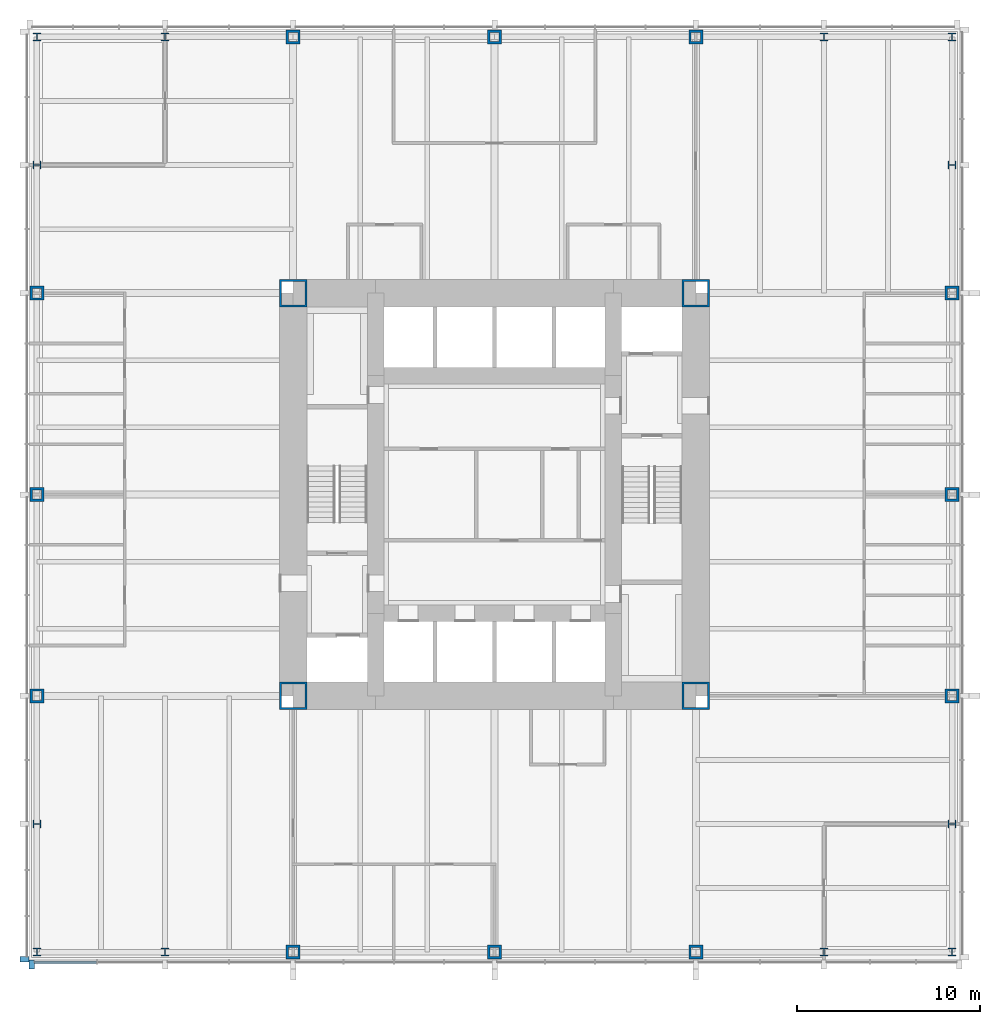
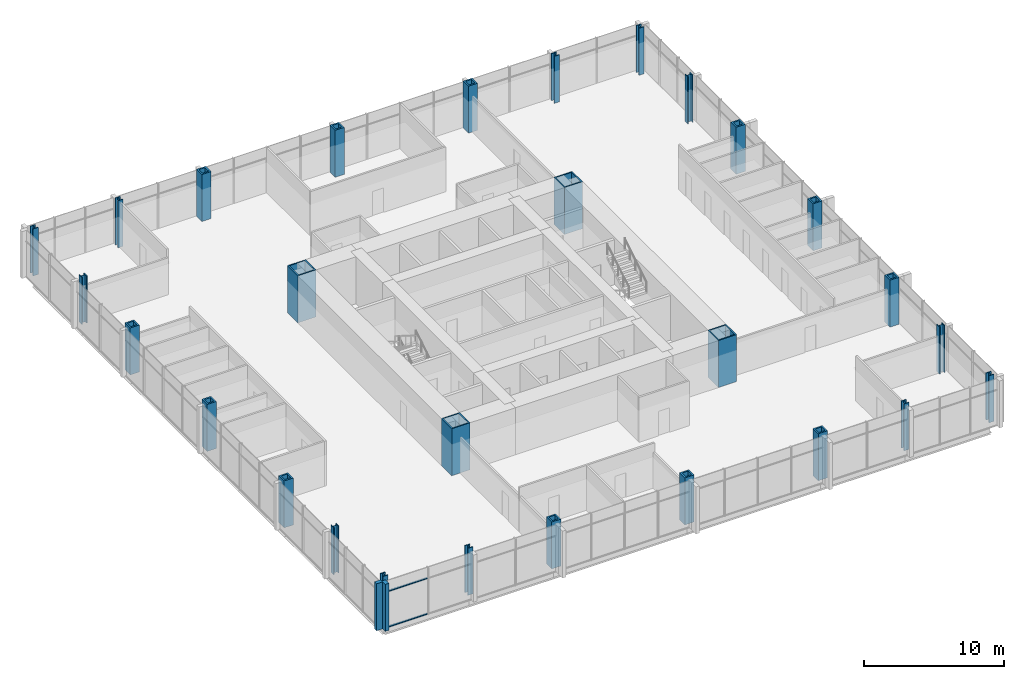
# One storey, part 1 of 13: 28 columns, 4 members, 2 elements without a shape of their own.
"""IFC4 building model written with IfcOpenShell, lengths in metres."""

from ifc_helpers import new_model, si_unit, direction, frame, origin, origin_2d, place, context, subcontext, project, spatial, rectangle, hollow_rectangle, i_section, extrude, material, material_profile, profile_set, type_object, element, aggregate, save


model = new_model("IFC4")

# Units and contexts
model_context = context("Model", 3, precision=1e-05, world=origin(), true_north=direction((0.0, 1.0)))
body_context = subcontext(model_context, "Body", "Model", "MODEL_VIEW")
ifc_project = project(units=[si_unit("LENGTHUNIT", "METRE"), si_unit("AREAUNIT", "SQUARE_METRE"), si_unit("VOLUMEUNIT", "CUBIC_METRE"), si_unit("PLANEANGLEUNIT", "RADIAN"), si_unit("MASSUNIT", "GRAM", prefix="KILO")], contexts=[model_context])

# Site, building, storey
site_placement = place(None, origin())
site = spatial("IfcSite", under=ifc_project, at=site_placement, CompositionType="ELEMENT")
building_placement = place(site_placement, origin())
building = spatial("IfcBuilding", under=site, at=building_placement, Name="Trevanion Tower", CompositionType="ELEMENT")
storey_placement = place(building_placement, frame((0.0, 0.0, 81.60009765625)))
storey = spatial("IfcBuildingStorey", under=building, at=storey_placement, Name="L19", CompositionType="ELEMENT", Elevation=81.60009765625)

# Columns
ifc_material_1 = material(Name="Steel ASTM A588 Grade 50", Category="steel")
ifc_material_profile_1 = material_profile(ifc_material_1, hollow_rectangle(XDim=0.761962890625, YDim=0.761962890625, WallThickness=0.126953125, at=origin_2d()), Name="BOX30X30X5")
ifc_profile_set_1 = profile_set([ifc_material_profile_1], Name="Steel ASTM A588 Grade 50")
column_type_1 = type_object("IfcColumnType", Name="C1 BOX30X30X5", PredefinedType="COLUMN", material=ifc_profile_set_1)
for number, where, z_axis, x_axis, name in (
    (1, (-25.0, 0.0, 0.0), (0.0, 0.0, 1.0), (0.0, 1.0, 0.0), "C1 3/H L19"),
    (2, (-25.0, -11.0, 0.0), (0.0, 0.0, 1.0), (0.0, 1.0, 0.0), "C1 3/F L19"),
    (3, (-11.0, -25.0, 0.0), (0.0, 0.0, 1.0), (1.0, 0.0, 0.0), "C1 8/A L19"),
    (4, (0.0, -25.0, 0.0), (0.0, 0.0, 1.0), (1.0, 0.0, 0.0), "C1 10/A L19"),
    (5, (11.0, -25.0, 0.0), (0.0, 0.0, 1.0), (1.0, 0.0, 0.0), "C1 12/A L19"),
    (6, (25.0, -11.0, 0.0), (0.0, 0.0, 1.0), (0.0, 1.0, 0.0), "C1 17/F L19"),
    (7, (25.0, 0.0, 0.0), (0.0, 0.0, 1.0), (0.0, 1.0, 0.0), "C1 17/H L19"),
    (8, (25.0, 11.0, 0.0), (0.0, 0.0, 1.0), (0.0, 1.0, 0.0), "C1 17/K L19"),
    (9, (11.0, 25.0, 0.0), (0.0, 0.0, 1.0), (1.0, 0.0, 0.0), "C1 12/Q L19"),
    (10, (0.0, 25.0, 0.0), (0.0, 0.0, 1.0), (1.0, 0.0, 0.0), "C1 10/Q L19"),
    (11, (-11.0, 25.0, 0.0), (0.0, 0.0, 1.0), (1.0, 0.0, 0.0), "C1 8/Q L19"),
    (12, (-25.0, 11.0, 0.0), (0.0, 0.0, 1.0), (0.0, 1.0, 0.0), "C1 3/K L19"),
):
    element("IfcColumn", number, at=place(storey_placement, frame(where, z_axis=z_axis, x_axis=x_axis)), inside=storey, type_object=column_type_1, Name=name, PredefinedType="COLUMN", context=body_context, shape_type="SweptSolid", body=[
        extrude(hollow_rectangle(XDim=0.761962890625, YDim=0.761962890625, WallThickness=0.126953125, at=origin_2d()), origin(), (0.0, 0.0, 1.0), 4.099853515625),
    ])
ifc_material_2 = material(Name="Steel ASTM A913 Grade 65", Category="steel")
ifc_material_profile_2 = material_profile(ifc_material_2, i_section(OverallWidth=0.419189453125, OverallDepth=0.45458984375, WebThickness=0.042236328125, FlangeThickness=0.067626953125, at=origin_2d()), Name="W14X370")
ifc_profile_set_2 = profile_set([ifc_material_profile_2], Name="Steel ASTM A913 Grade 65")
column_type_2 = type_object("IfcColumnType", Name="C2 W14X370", PredefinedType="COLUMN", material=ifc_profile_set_2)
for number, where, z_axis, x_axis, name in (
    (13, (-25.0, -18.0, 0.0), (0.0, 0.0, 1.0), (0.0, 1.0, 0.0), "C2 3/D L19"),
    (14, (-25.0, -25.0, 0.0), (0.0, 0.0, 1.0), (1.0, 0.0, 0.0), "C2 3/A L19"),
    (15, (-18.0, -25.0, 0.0), (0.0, 0.0, 1.0), (1.0, 0.0, 0.0), "C2 6/A L19"),
    (16, (18.0, -25.0, 0.0), (0.0, 0.0, 1.0), (1.0, 0.0, 0.0), "C2 14/A L19"),
    (17, (25.0, -25.0, 0.0), (0.0, 0.0, 1.0), (1.0, 0.0, 0.0), "C2 17/A L19"),
    (18, (25.0, -18.0, 0.0), (0.0, 0.0, 1.0), (0.0, 1.0, 0.0), "C2 17/D L19"),
    (19, (25.0, 18.0, 0.0), (0.0, 0.0, 1.0), (0.0, 1.0, 0.0), "C2 17/M L19"),
    (20, (25.0, 25.0, 0.0), (0.0, 0.0, 1.0), (1.0, 0.0, 0.0), "C2 17/Q L19"),
    (21, (18.0, 25.0, 0.0), (0.0, 0.0, 1.0), (1.0, 0.0, 0.0), "C2 14/Q L19"),
    (22, (-18.0, 25.0, 0.0), (0.0, 0.0, 1.0), (1.0, 0.0, 0.0), "C2 6/Q L19"),
    (23, (-25.0, 25.0, 0.0), (0.0, 0.0, 1.0), (1.0, 0.0, 0.0), "C2 3/Q L19"),
    (24, (-25.0, 18.0, 0.0), (0.0, 0.0, 1.0), (0.0, 1.0, 0.0), "C2 3/M L19"),
):
    element("IfcColumn", number, at=place(storey_placement, frame(where, z_axis=z_axis, x_axis=x_axis)), inside=storey, type_object=column_type_2, Name=name, PredefinedType="COLUMN", context=body_context, shape_type="SweptSolid", body=[
        extrude(i_section(OverallWidth=0.419189453125, OverallDepth=0.45458984375, WebThickness=0.042236328125, FlangeThickness=0.067626953125, at=origin_2d()), origin(), (0.0, 0.0, 1.0), 4.099853515625),
    ])
ifc_material_3 = material(Name="Steel ASTM A572 Grade 50", Category="steel")
ifc_material_profile_3 = material_profile(ifc_material_3, hollow_rectangle(XDim=1.49853515625, YDim=1.49853515625, WallThickness=0.1015625, at=origin_2d()), Name="BOX59X59X4")
ifc_profile_set_3 = profile_set([ifc_material_profile_3], Name="Steel ASTM A572 Grade 50")
column_type_3 = type_object("IfcColumnType", Name="CB1 BOX59X59X4", PredefinedType="COLUMN", material=ifc_profile_set_3)
for number, where, z_axis, x_axis, name in (
    (25, (11.0, 11.0, 0.0), (0.0, 0.0, 1.0), (1.0, 0.0, 0.0), "CB1 NE L19"),
    (26, (-11.0, 11.0, 0.0), (0.0, 0.0, 1.0), (1.0, 0.0, 0.0), "CB1 NW L19"),
    (27, (-11.0, -11.0, 0.0), (0.0, 0.0, 1.0), (1.0, 0.0, 0.0), "CB1 SW L19"),
    (28, (11.0, -11.0, 0.0), (0.0, 0.0, 1.0), (1.0, 0.0, 0.0), "CB1 SE L19"),
):
    element("IfcColumn", number, at=place(storey_placement, frame(where, z_axis=z_axis, x_axis=x_axis)), inside=storey, type_object=column_type_3, Name=name, PredefinedType="COLUMN", context=body_context, shape_type="SweptSolid", body=[
        extrude(hollow_rectangle(XDim=1.49853515625, YDim=1.49853515625, WallThickness=0.1015625, at=origin_2d()), origin(), (0.0, 0.0, 1.0), 4.099853515625),
    ])

# Curtain wall, member
ifc_material_4 = material(Name="Aluminium and glass", Category="aluminium")
curtain_wall_type = type_object("IfcCurtainWallType", Name="CW1 curtain wall", PredefinedType="USERDEFINED", material=ifc_material_4)
curtain_wall_1_placement = place(storey_placement, origin())
curtain_wall_1 = element("IfcCurtainWall", 29, at=curtain_wall_1_placement, inside=storey, type_object=curtain_wall_type, Name="CW1 L19 2", ObjectType="UNITISED CURTAIN WALL", PredefinedType="USERDEFINED")
ifc_material_5 = material(Name="Aluminium extrusion, anodised bronze", Category="aluminium")
ifc_material_profile_4 = material_profile(ifc_material_5, rectangle(XDim=0.300048828125, YDim=0.5, at=origin_2d()), Name="CW1 pier mullion")
ifc_profile_set_4 = profile_set([ifc_material_profile_4], Name="Aluminium extrusion, anodised bronze")
member_type_1 = type_object("IfcMemberType", Name="CW1 pier mullion", PredefinedType="MULLION", material=ifc_profile_set_4)
member_1_placement = place(storey_placement, frame((-25.675048828125, -25.39990234375, -0.190185546875), z_axis=(0.0, 0.0, 1.0), x_axis=(0.0, -1.0, 0.0)))
member_1 = element("IfcMember", 30, at=member_1_placement, type_object=member_type_1, Name="CW1 pier mullion 18", PredefinedType="MULLION", context=body_context, shape_type="SweptSolid", body=[
    extrude(rectangle(XDim=0.300048828125, YDim=0.5, at=origin_2d()), origin(), (0.0, 0.0, 1.0), 4.10009765625),
])
aggregate(curtain_wall_1, [member_1])

# Curtain wall, members
curtain_wall_2_placement = place(storey_placement, origin())
curtain_wall_2 = element("IfcCurtainWall", 31, at=curtain_wall_2_placement, inside=storey, type_object=curtain_wall_type, Name="CW1 L19 3", ObjectType="UNITISED CURTAIN WALL", PredefinedType="USERDEFINED")
member_2_placement = place(storey_placement, frame((-25.27001953125, -25.675048828125, -0.190185546875), z_axis=(0.0, 0.0, 1.0), x_axis=(1.0, 0.0, 0.0)))
member_2 = element("IfcMember", 32, at=member_2_placement, type_object=member_type_1, Name="CW1 pier mullion 1", PredefinedType="MULLION", context=body_context, shape_type="SweptSolid", body=[
    extrude(rectangle(XDim=0.300048828125, YDim=0.5, at=origin_2d()), origin(), (0.0, 0.0, 1.0), 4.10009765625),
])
ifc_material_6 = material(Name="Aluminium extrusion, anodised bronze", Category="aluminium")
ifc_material_profile_5 = material_profile(ifc_material_6, rectangle(XDim=0.14990234375, YDim=0.074951171875, at=origin_2d()), Name="CW1 transom")
ifc_profile_set_5 = profile_set([ifc_material_profile_5], Name="Aluminium extrusion, anodised bronze")
member_type_2 = type_object("IfcMemberType", Name="CW1 transom", PredefinedType="USERDEFINED", material=ifc_profile_set_5)
member_3_placement = place(storey_placement, frame((-25.1201171875, -25.550048828125, -0.152587890625), z_axis=(1.0, 0.0, 0.0), x_axis=(0.0, 1.0, 0.0)))
member_3 = element("IfcMember", 33, at=member_3_placement, type_object=member_type_2, Name="CW1 transom 1.1", ObjectType="TRANSOM", PredefinedType="USERDEFINED", context=body_context, shape_type="SweptSolid", body=[
    extrude(rectangle(XDim=0.14990234375, YDim=0.074951171875, at=origin_2d()), origin(), (0.0, 0.0, 1.0), 3.37255859375),
])
member_4_placement = place(storey_placement, frame((-25.1201171875, -25.550048828125, 2.9599609375), z_axis=(1.0, 0.0, 0.0), x_axis=(0.0, 1.0, 0.0)))
member_4 = element("IfcMember", 34, at=member_4_placement, type_object=member_type_2, Name="CW1 transom 1.2", ObjectType="TRANSOM", PredefinedType="USERDEFINED", context=body_context, shape_type="SweptSolid", body=[
    extrude(rectangle(XDim=0.14990234375, YDim=0.074951171875, at=origin_2d()), origin(), (0.0, 0.0, 1.0), 3.37255859375),
])
aggregate(curtain_wall_2, [member_2, member_3, member_4])

save(model, "model.ifc")
